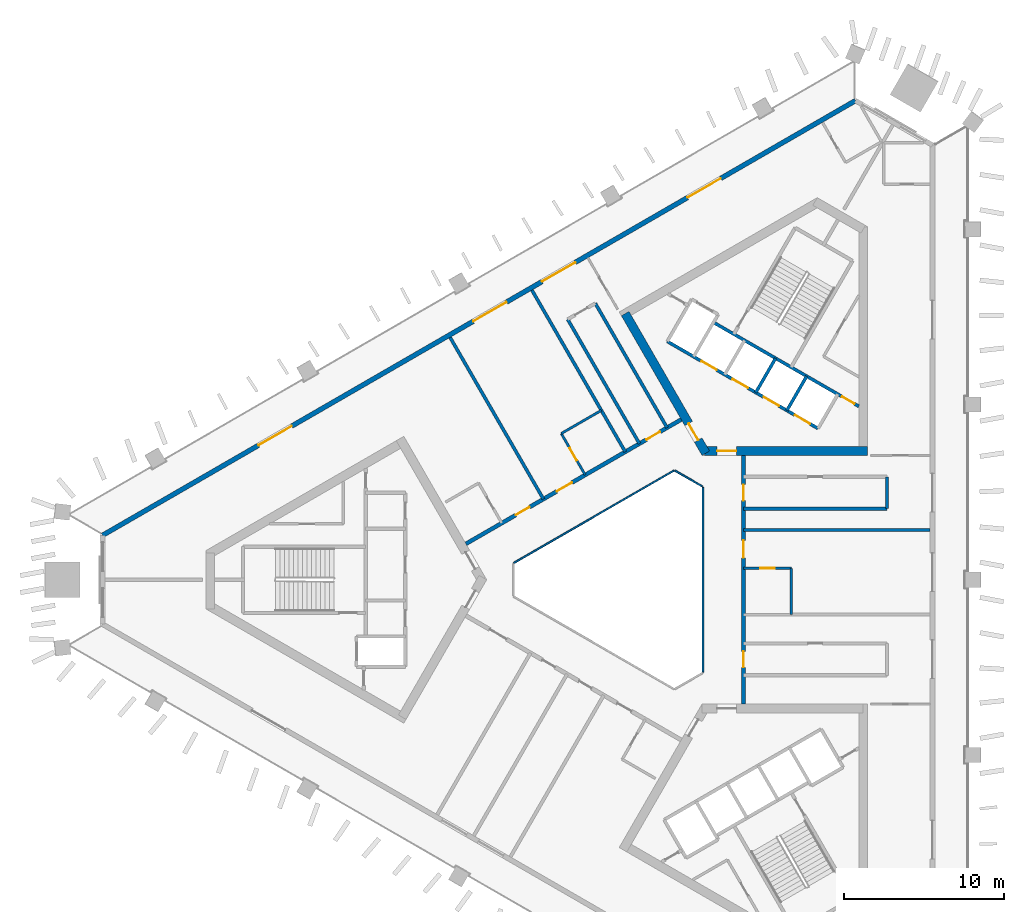
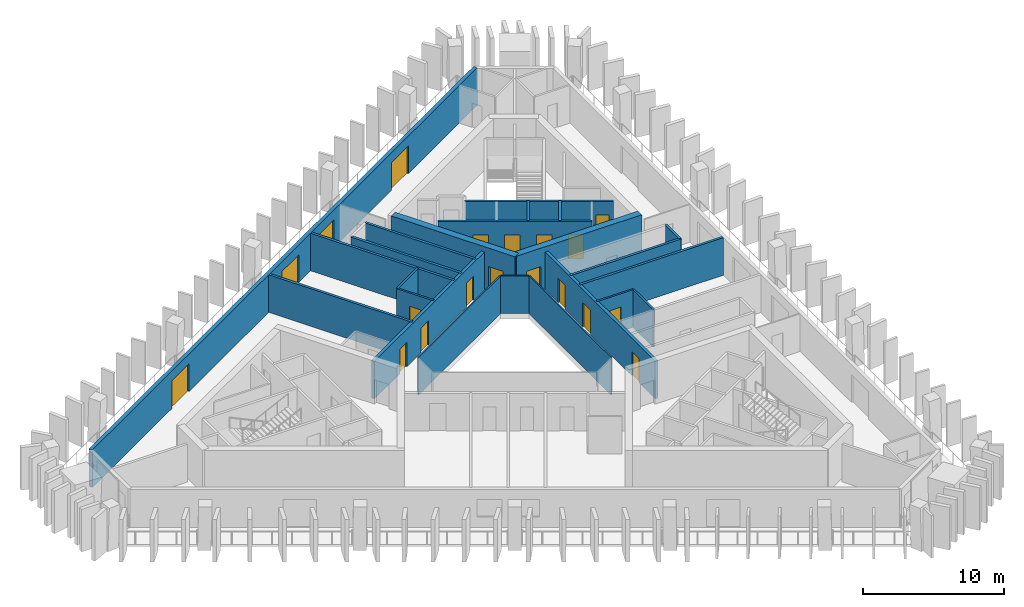
# One storey, part 4 of 10: 23 walls, 19 doors, 19 openings.
"""IFC4 building model written with IfcOpenShell, lengths in metres."""

from ifc_helpers import new_model, si_unit, direction, frame, frame_2d, origin, place, context, subcontext, project, spatial, rectangle, extrude, material, layer, layer_set, type_object, element, fill, save


model = new_model("IFC4")

# Units and contexts
model_context = context("Model", 3, precision=1e-05, world=origin(), true_north=direction((0.0, 1.0)))
body_context = subcontext(model_context, "Body", "Model", "MODEL_VIEW")
ifc_project = project(units=[si_unit("LENGTHUNIT", "METRE"), si_unit("AREAUNIT", "SQUARE_METRE"), si_unit("VOLUMEUNIT", "CUBIC_METRE"), si_unit("PLANEANGLEUNIT", "RADIAN"), si_unit("MASSUNIT", "GRAM", prefix="KILO")], contexts=[model_context])

# Site, building, storey
site_placement = place(None, origin())
site = spatial("IfcSite", under=ifc_project, at=site_placement, CompositionType="ELEMENT")
building_placement = place(site_placement, origin())
building = spatial("IfcBuilding", under=site, at=building_placement, Name="Jabali Bay Hotel Tower and Convention Centre", CompositionType="ELEMENT")
storey_placement = place(building_placement, frame((0.0, 0.0, 156.300048828125)))
storey = spatial("IfcBuildingStorey", under=building, at=storey_placement, Name="L37", CompositionType="ELEMENT", Elevation=156.300048828125)

# Walls
ifc_material_1 = material(Name="Fire-resistant glazing", Category="glass")
ifc_layer_1 = layer(ifc_material_1, 0.10009765625)
ifc_layer_set_1 = layer_set([ifc_layer_1], Name="Fire-resistant glazing")
wall_type_1 = type_object("IfcWallType", Name="Atrium glazed screen 100", PredefinedType="PARTITIONING", material=ifc_layer_set_1)
wall_1_placement = place(storey_placement, frame((79.56005859375, 74.205810546875, 0.0), z_axis=(0.0, 0.0, 1.0), x_axis=(0.0, 1.0, 0.0)))
element("IfcWall", 1, at=wall_1_placement, inside=storey, type_object=wall_type_1, Name="Atrium screen 1 L37", PredefinedType="PARTITIONING", context=body_context, shape_type="SweptSolid", body=[
    extrude(rectangle(XDim=11.58837890625, YDim=0.10009765625, at=frame_2d((5.794189453125, 0.0))), origin(), (0.0, 0.0, 1.0), 3.25),
])
wall_2_placement = place(storey_placement, frame((79.530029296875, 85.84619140625, 0.0), z_axis=(0.0, 0.0, 1.0), x_axis=(-0.866041268327, 0.499972520799, 0.0)))
element("IfcWall", 2, at=wall_2_placement, inside=storey, type_object=wall_type_1, Name="Atrium screen 2 L37", PredefinedType="PARTITIONING", context=body_context, shape_type="SweptSolid", body=[
    extrude(rectangle(XDim=2.0, YDim=0.10009765625, at=frame_2d((1.0, 0.0))), origin(), (0.0, 0.0, 1.0), 3.25),
])
wall_3_placement = place(storey_placement, frame((77.738037109375, 86.84619140625, 0.0), z_axis=(0.0, 0.0, 1.0), x_axis=(-0.866026658274, -0.499997827154, 0.0)))
element("IfcWall", 3, at=wall_3_placement, inside=storey, type_object=wall_type_1, Name="Atrium screen 3 L37", PredefinedType="PARTITIONING", context=body_context, shape_type="SweptSolid", body=[
    extrude(rectangle(XDim=11.58837890625, YDim=0.10009765625, at=frame_2d((5.794189453125, 0.0))), origin(), (0.0, 0.0, 1.0), 3.25),
])
ifc_material_2 = material(Name="Concrete C40", Category="concrete")
ifc_layer_2 = layer(ifc_material_2, 0.199951171875)
ifc_layer_set_2 = layer_set([ifc_layer_2], Name="Concrete C40")
wall_type_2 = type_object("IfcWallType", Name="Core stair wall 200", PredefinedType="SOLIDWALL", material=ifc_layer_set_2)
for number, where, z_axis, x_axis, name in (
    (4, (84.8212890625, 90.61083984375, 0.0), (0.0, 0.0, 1.0), (0.499961042966, 0.86604789447, 0.0), "Core wall 1.2 L37"),
    (5, (82.872802734375, 91.73583984375, 0.0), (0.0, 0.0, 1.0), (0.499961042966, 0.86604789447, 0.0), "Core wall 1.4 L37"),
):
    element("IfcWall", number, at=place(storey_placement, frame(where, z_axis=z_axis, x_axis=x_axis)), inside=storey, type_object=wall_type_2, Name=name, PredefinedType="SOLIDWALL", context=body_context, shape_type="SweptSolid", body=[
        extrude(rectangle(XDim=2.480224609375, YDim=0.199951171875, at=frame_2d((1.240234375, 0.0))), origin(), (0.0, 0.0, 1.0), 3.25),
    ])

# Wall, openings, doors
wall_4_placement = place(storey_placement, frame((86.769775390625, 89.48583984375, 0.0), z_axis=(0.0, 0.0, 1.0), x_axis=(-0.86601811187, 0.500012629753, 0.0)))
wall_4 = element("IfcWall", 6, at=wall_4_placement, inside=storey, type_object=wall_type_2, Name="Core wall 1.10 L37", PredefinedType="SOLIDWALL", context=body_context, shape_type="SweptSolid", body=[
    extrude(rectangle(XDim=10.900146484375, YDim=0.199951171875, at=frame_2d((5.4501953125, 0.0))), origin(), (0.0, 0.0, 1.0), 3.25),
])
opening_1_placement = place(wall_4_placement, frame((0.574951171875, 0.0, 0.0)))
opening_1 = element("IfcOpeningElement", 7, at=opening_1_placement, cuts=wall_4, Name="Opening LD6-L37", PredefinedType="OPENING", context=body_context, shape_type="SweptSolid", body=[
    extrude(rectangle(XDim=1.10009765625, YDim=2.10009765625, at=frame_2d((0.550048828125, 1.050048828125))), frame((0.0, 0.1103515625, 0.0), z_axis=(0.0, -1.0, 0.0), x_axis=(1.0, 0.0, 0.0)), (0.0, 0.0, 1.0), 0.220947265625),
])
opening_2_placement = place(wall_4_placement, frame((2.824951171875, 0.0, 0.0)))
opening_2 = element("IfcOpeningElement", 8, at=opening_2_placement, cuts=wall_4, Name="Opening LD7-L37", PredefinedType="OPENING", context=body_context, shape_type="SweptSolid", body=[
    extrude(rectangle(XDim=1.10009765625, YDim=2.10009765625, at=frame_2d((0.550048828125, 1.050048828125))), frame((0.0, 0.1103515625, 0.0), z_axis=(0.0, -1.0, 0.0), x_axis=(1.0, 0.0, 0.0)), (0.0, 0.0, 1.0), 0.220947265625),
])
opening_3_placement = place(wall_4_placement, frame((5.074951171875, 0.0, 0.0)))
opening_3 = element("IfcOpeningElement", 9, at=opening_3_placement, cuts=wall_4, Name="Opening LD8-L37", PredefinedType="OPENING", context=body_context, shape_type="SweptSolid", body=[
    extrude(rectangle(XDim=1.10009765625, YDim=2.10009765625, at=frame_2d((0.550048828125, 1.050048828125))), frame((0.0, 0.1103515625, 0.0), z_axis=(0.0, -1.0, 0.0), x_axis=(1.0, 0.0, 0.0)), (0.0, 0.0, 1.0), 0.220947265625),
])
opening_4_placement = place(wall_4_placement, frame((7.324951171875, 0.0, 0.0)))
opening_4 = element("IfcOpeningElement", 10, at=opening_4_placement, cuts=wall_4, Name="Opening LD9-L37", PredefinedType="OPENING", context=body_context, shape_type="SweptSolid", body=[
    extrude(rectangle(XDim=1.10009765625, YDim=2.10009765625, at=frame_2d((0.550048828125, 1.050048828125))), frame((0.0, 0.1103515625, 0.0), z_axis=(0.0, -1.0, 0.0), x_axis=(1.0, 0.0, 0.0)), (0.0, 0.0, 1.0), 0.220947265625),
])
ifc_material_3 = material(Name="Stainless steel landing door", Category="steel")
door_type_1 = type_object("IfcDoorType", Name="Landing door 1100 x 2100", OperationType="NOTDEFINED", PredefinedType="NOTDEFINED", material=ifc_material_3)
door_1_placement = place(opening_1_placement, origin())
door_1 = element("IfcDoor", 11, at=door_1_placement, inside=storey, type_object=door_type_1, Name="Landing doors LD6-L37", OperationType="SLIDING_TO_RIGHT", OverallHeight=2.10009765625, OverallWidth=1.10009765625, PredefinedType="NOTDEFINED", context=body_context, shape_type="SweptSolid", body=[
    extrude(rectangle(XDim=1.10009765625, YDim=2.10009765625, at=frame_2d((0.550048828125, 1.050048828125))), frame((0.0, 0.02490234375, 0.0), z_axis=(0.0, -1.0, 0.0), x_axis=(1.0, 0.0, 0.0)), (0.0, 0.0, 1.0), 0.050048828125),
])
fill(opening_1, door_1)
door_2_placement = place(opening_2_placement, origin())
door_2 = element("IfcDoor", 12, at=door_2_placement, inside=storey, type_object=door_type_1, Name="Landing doors LD7-L37", OperationType="SLIDING_TO_LEFT", OverallHeight=2.10009765625, OverallWidth=1.10009765625, PredefinedType="NOTDEFINED", context=body_context, shape_type="SweptSolid", body=[
    extrude(rectangle(XDim=1.10009765625, YDim=2.10009765625, at=frame_2d((0.550048828125, 1.050048828125))), frame((0.0, 0.02490234375, 0.0), z_axis=(0.0, -1.0, 0.0), x_axis=(1.0, 0.0, 0.0)), (0.0, 0.0, 1.0), 0.050048828125),
])
fill(opening_2, door_2)
door_3_placement = place(opening_3_placement, origin())
door_3 = element("IfcDoor", 13, at=door_3_placement, inside=storey, type_object=door_type_1, Name="Landing doors LD8-L37", OperationType="SLIDING_TO_RIGHT", OverallHeight=2.10009765625, OverallWidth=1.10009765625, PredefinedType="NOTDEFINED", context=body_context, shape_type="SweptSolid", body=[
    extrude(rectangle(XDim=1.10009765625, YDim=2.10009765625, at=frame_2d((0.550048828125, 1.050048828125))), frame((0.0, 0.02490234375, 0.0), z_axis=(0.0, -1.0, 0.0), x_axis=(1.0, 0.0, 0.0)), (0.0, 0.0, 1.0), 0.050048828125),
])
fill(opening_3, door_3)
door_4_placement = place(opening_4_placement, origin())
door_4 = element("IfcDoor", 14, at=door_4_placement, inside=storey, type_object=door_type_1, Name="Landing doors LD9-L37", OperationType="SLIDING_TO_LEFT", OverallHeight=2.10009765625, OverallWidth=1.10009765625, PredefinedType="NOTDEFINED", context=body_context, shape_type="SweptSolid", body=[
    extrude(rectangle(XDim=1.10009765625, YDim=2.10009765625, at=frame_2d((0.550048828125, 1.050048828125))), frame((0.0, 0.02490234375, 0.0), z_axis=(0.0, -1.0, 0.0), x_axis=(1.0, 0.0, 0.0)), (0.0, 0.0, 1.0), 0.050048828125),
])
fill(opening_4, door_4)

# Wall, opening, door
wall_5_placement = place(storey_placement, frame((89.330078125, 90.87158203125, 0.0), z_axis=(0.0, 0.0, 1.0), x_axis=(-0.866027589512, 0.49999621419, 0.0)))
wall_5 = element("IfcWall", 15, at=wall_5_placement, inside=storey, type_object=wall_type_2, Name="Core wall 1.11 L37", PredefinedType="SOLIDWALL", context=body_context, shape_type="SweptSolid", body=[
    extrude(rectangle(XDim=10.5244140625, YDim=0.199951171875, at=frame_2d((5.26220703125, 0.0))), origin(), (0.0, 0.0, 1.0), 3.25),
])
opening_5_placement = place(wall_5_placement, frame((0.312255859375, 0.0, 0.0)))
opening_5 = element("IfcOpeningElement", 16, at=opening_5_placement, cuts=wall_5, Name="Opening D815", PredefinedType="OPENING", context=body_context, shape_type="SweptSolid", body=[
    extrude(rectangle(XDim=0.89990234375, YDim=2.10009765625, at=frame_2d((0.449951171875, 1.050048828125))), frame((0.0, 0.1103515625, 0.0), z_axis=(0.0, -1.0, 0.0), x_axis=(1.0, 0.0, 0.0)), (0.0, 0.0, 1.0), 0.220947265625),
])
ifc_material_4 = material(Name="Fire-rated steel door", Category="steel")
door_type_2 = type_object("IfcDoorType", Name="Vestibule fire door 900 x 2100", OperationType="NOTDEFINED", PredefinedType="NOTDEFINED", material=ifc_material_4)
door_5_placement = place(opening_5_placement, origin())
door_5 = element("IfcDoor", 17, at=door_5_placement, inside=storey, type_object=door_type_2, Name="Vestibule fire door D815", OperationType="SINGLE_SWING_LEFT", OverallHeight=2.10009765625, OverallWidth=0.89990234375, PredefinedType="NOTDEFINED", context=body_context, shape_type="SweptSolid", body=[
    extrude(rectangle(XDim=0.89990234375, YDim=2.10009765625, at=frame_2d((0.449951171875, 1.050048828125))), frame((0.0, 0.02490234375, 0.0), z_axis=(0.0, -1.0, 0.0), x_axis=(1.0, 0.0, 0.0)), (0.0, 0.0, 1.0), 0.050048828125),
])
fill(opening_5, door_5)

ifc_material_5 = material(Name="Concrete C60", Category="concrete")
ifc_layer_3 = layer(ifc_material_5, 0.550048828125)
ifc_layer_set_3 = layer_set([ifc_layer_3], Name="Concrete C60")
wall_type_3 = type_object("IfcWallType", Name="Core wall 550", PredefinedType="SHEAR", material=ifc_layer_set_3)
wall_6_placement = place(storey_placement, frame((79.65869140625, 88.0693359375, 0.0), z_axis=(0.0, 0.0, 1.0), x_axis=(1.0, 0.0, 0.0)))
wall_6 = element("IfcWall", 18, at=wall_6_placement, inside=storey, type_object=wall_type_3, Name="Core wall 2.1 L37", PredefinedType="SHEAR", context=body_context, shape_type="SweptSolid", body=[
    extrude(rectangle(XDim=10.22119140625, YDim=0.550048828125, at=frame_2d((5.110595703125, 0.0))), origin(), (0.0, 0.0, 1.0), 3.699951171875),
])
opening_6_placement = place(wall_6_placement, frame((0.791259765625, 0.0, 0.0)))
opening_6 = element("IfcOpeningElement", 19, at=opening_6_placement, cuts=wall_6, Name="Opening D812", PredefinedType="OPENING", context=body_context, shape_type="SweptSolid", body=[
    extrude(rectangle(XDim=1.199951171875, YDim=2.10009765625, at=frame_2d((0.60009765625, 1.050048828125))), frame((0.0, 0.28564453125, 0.0), z_axis=(0.0, -1.0, 0.0), x_axis=(1.0, 0.0, 0.0)), (0.0, 0.0, 1.0), 0.571044921875),
])
door_type_3 = type_object("IfcDoorType", Name="Corridor end fire door 1200 x 2100", OperationType="NOTDEFINED", PredefinedType="NOTDEFINED", material=ifc_material_4)
door_6_placement = place(opening_6_placement, origin())
door_6 = element("IfcDoor", 20, at=door_6_placement, inside=storey, type_object=door_type_3, Name="Corridor end fire door D812", OperationType="SINGLE_SWING_RIGHT", OverallHeight=2.10009765625, OverallWidth=1.199951171875, PredefinedType="NOTDEFINED", context=body_context, shape_type="SweptSolid", body=[
    extrude(rectangle(XDim=1.199951171875, YDim=2.10009765625, at=frame_2d((0.60009765625, 1.050048828125))), frame((0.0, 0.02490234375, 0.0), z_axis=(0.0, -1.0, 0.0), x_axis=(1.0, 0.0, 0.0)), (0.0, 0.0, 1.0), 0.050048828125),
])
fill(opening_6, door_6)

wall_7_placement = place(storey_placement, frame((74.685546875, 96.682861328125, 0.0), z_axis=(0.0, 0.0, 1.0), x_axis=(0.499997818338, -0.866026663364, 0.0)))
wall_7 = element("IfcWall", 21, at=wall_7_placement, inside=storey, type_object=wall_type_3, Name="Core wall 2.5 L37", PredefinedType="SHEAR", context=body_context, shape_type="SweptSolid", body=[
    extrude(rectangle(XDim=10.10498046875, YDim=0.550048828125, at=frame_2d((5.052490234375, 0.0))), origin(), (0.0, 0.0, 1.0), 3.699951171875),
])
opening_7_placement = place(wall_7_placement, frame((7.955078125, 0.0, 0.0)))
opening_7 = element("IfcOpeningElement", 22, at=opening_7_placement, cuts=wall_7, Name="Opening D813", PredefinedType="OPENING", context=body_context, shape_type="SweptSolid", body=[
    extrude(rectangle(XDim=1.199951171875, YDim=2.10009765625, at=frame_2d((0.60009765625, 1.050048828125))), frame((0.0, 0.28564453125, 0.0), z_axis=(0.0, -1.0, 0.0), x_axis=(1.0, 0.0, 0.0)), (0.0, 0.0, 1.0), 0.571044921875),
])
door_7_placement = place(opening_7_placement, origin())
door_7 = element("IfcDoor", 23, at=door_7_placement, inside=storey, type_object=door_type_3, Name="Corridor end fire door D813", OperationType="SINGLE_SWING_LEFT", OverallHeight=2.10009765625, OverallWidth=1.199951171875, PredefinedType="NOTDEFINED", context=body_context, shape_type="SweptSolid", body=[
    extrude(rectangle(XDim=1.199951171875, YDim=2.10009765625, at=frame_2d((0.60009765625, 1.050048828125))), frame((0.0, 0.02490234375, 0.0), z_axis=(0.0, -1.0, 0.0), x_axis=(1.0, 0.0, 0.0)), (0.0, 0.0, 1.0), 0.050048828125),
])
fill(opening_7, door_7)

# Wall, openings, doors
ifc_layer_4 = layer(ifc_material_5, 0.25)
ifc_layer_set_4 = layer_set([ifc_layer_4], Name="Concrete C60")
wall_type_4 = type_object("IfcWallType", Name="Corridor wall 250", PredefinedType="SHEAR", material=ifc_layer_set_4)
wall_8_placement = place(storey_placement, frame((82.10009765625, 72.205810546875, 0.0), z_axis=(0.0, 0.0, 1.0), x_axis=(0.0, 1.0, 0.0)))
wall_8 = element("IfcWall", 24, at=wall_8_placement, inside=storey, type_object=wall_type_4, Name="Corridor wall 1 L37", PredefinedType="SHEAR", context=body_context, shape_type="SweptSolid", body=[
    extrude(rectangle(XDim=15.58837890625, YDim=0.25, at=frame_2d((7.794189453125, 0.0))), origin(), (0.0, 0.0, 1.0), 3.25),
])
opening_8_placement = place(wall_8_placement, frame((2.305908203125, 0.0, 0.0)))
opening_8 = element("IfcOpeningElement", 25, at=opening_8_placement, cuts=wall_8, Name="Opening 3701", PredefinedType="OPENING", context=body_context, shape_type="SweptSolid", body=[
    extrude(rectangle(XDim=1.0, YDim=2.10009765625, at=frame_2d((0.5, 1.050048828125))), frame((0.0, 0.135498046875, 0.0), z_axis=(0.0, -1.0, 0.0), x_axis=(1.0, 0.0, 0.0)), (0.0, 0.0, 1.0), 0.27099609375),
])
opening_9_placement = place(wall_8_placement, frame((9.161865234375, 0.0, 0.0)))
opening_9 = element("IfcOpeningElement", 26, at=opening_9_placement, cuts=wall_8, Name="Opening 3706", PredefinedType="OPENING", context=body_context, shape_type="SweptSolid", body=[
    extrude(rectangle(XDim=1.10009765625, YDim=2.10009765625, at=frame_2d((0.550048828125, 1.050048828125))), frame((0.0, 0.135498046875, 0.0), z_axis=(0.0, -1.0, 0.0), x_axis=(1.0, 0.0, 0.0)), (0.0, 0.0, 1.0), 0.27099609375),
])
opening_10_placement = place(wall_8_placement, frame((12.750244140625, 0.0, 0.0)))
opening_10 = element("IfcOpeningElement", 27, at=opening_10_placement, cuts=wall_8, Name="Opening 3707", PredefinedType="OPENING", context=body_context, shape_type="SweptSolid", body=[
    extrude(rectangle(XDim=1.0, YDim=2.10009765625, at=frame_2d((0.5, 1.050048828125))), frame((0.0, 0.135498046875, 0.0), z_axis=(0.0, -1.0, 0.0), x_axis=(1.0, 0.0, 0.0)), (0.0, 0.0, 1.0), 0.27099609375),
])
ifc_material_6 = material(Name="Timber", Category="wood")
door_type_4 = type_object("IfcDoorType", Name="Accessible guest room door 1100 x 2100", OperationType="NOTDEFINED", PredefinedType="NOTDEFINED", material=ifc_material_6)
door_8_placement = place(opening_9_placement, origin())
door_8 = element("IfcDoor", 28, at=door_8_placement, inside=storey, type_object=door_type_4, Name="Door 3706", OperationType="SINGLE_SWING_RIGHT", OverallHeight=2.10009765625, OverallWidth=1.10009765625, PredefinedType="NOTDEFINED", context=body_context, shape_type="SweptSolid", body=[
    extrude(rectangle(XDim=1.10009765625, YDim=2.10009765625, at=frame_2d((0.550048828125, 1.050048828125))), frame((0.0, 0.02490234375, 0.0), z_axis=(0.0, -1.0, 0.0), x_axis=(1.0, 0.0, 0.0)), (0.0, 0.0, 1.0), 0.050048828125),
])
fill(opening_9, door_8)
door_type_5 = type_object("IfcDoorType", Name="Guest room door 1000 x 2100", OperationType="NOTDEFINED", PredefinedType="NOTDEFINED", material=ifc_material_6)
door_9_placement = place(opening_8_placement, origin())
door_9 = element("IfcDoor", 29, at=door_9_placement, inside=storey, type_object=door_type_5, Name="Door 3701", OperationType="SINGLE_SWING_LEFT", OverallHeight=2.10009765625, OverallWidth=1.0, PredefinedType="NOTDEFINED", context=body_context, shape_type="SweptSolid", body=[
    extrude(rectangle(XDim=1.0, YDim=2.10009765625, at=frame_2d((0.5, 1.050048828125))), frame((0.0, 0.02490234375, 0.0), z_axis=(0.0, -1.0, 0.0), x_axis=(1.0, 0.0, 0.0)), (0.0, 0.0, 1.0), 0.050048828125),
])
fill(opening_8, door_9)
door_10_placement = place(opening_10_placement, origin())
door_10 = element("IfcDoor", 30, at=door_10_placement, inside=storey, type_object=door_type_5, Name="Door 3707", OperationType="SINGLE_SWING_RIGHT", OverallHeight=2.10009765625, OverallWidth=1.0, PredefinedType="NOTDEFINED", context=body_context, shape_type="SweptSolid", body=[
    extrude(rectangle(XDim=1.0, YDim=2.10009765625, at=frame_2d((0.5, 1.050048828125))), frame((0.0, 0.02490234375, 0.0), z_axis=(0.0, -1.0, 0.0), x_axis=(1.0, 0.0, 0.0)), (0.0, 0.0, 1.0), 0.050048828125),
])
fill(opening_10, door_10)

wall_9_placement = place(storey_placement, frame((78.199951171875, 90.0458984375, 0.0), z_axis=(0.0, 0.0, 1.0), x_axis=(-0.866026492143, -0.499998114903, 0.0)))
wall_9 = element("IfcWall", 31, at=wall_9_placement, inside=storey, type_object=wall_type_4, Name="Corridor wall 2 L37", PredefinedType="SHEAR", context=body_context, shape_type="SweptSolid", body=[
    extrude(rectangle(XDim=15.58837890625, YDim=0.25, at=frame_2d((7.794189453125, 0.0))), origin(), (0.0, 0.0, 1.0), 3.25),
])
opening_11_placement = place(wall_9_placement, frame((1.526611328125, 0.0, 0.0)))
opening_11 = element("IfcOpeningElement", 32, at=opening_11_placement, cuts=wall_9, Name="Opening 3711", PredefinedType="OPENING", context=body_context, shape_type="SweptSolid", body=[
    extrude(rectangle(XDim=1.0, YDim=2.10009765625, at=frame_2d((0.5, 1.050048828125))), frame((0.0, 0.135498046875, 0.0), z_axis=(0.0, -1.0, 0.0), x_axis=(1.0, 0.0, 0.0)), (0.0, 0.0, 1.0), 0.27099609375),
])
opening_12_placement = place(wall_9_placement, frame((7.914794921875, 0.0, 0.0)))
opening_12 = element("IfcOpeningElement", 33, at=opening_12_placement, cuts=wall_9, Name="Opening 3716", PredefinedType="OPENING", context=body_context, shape_type="SweptSolid", body=[
    extrude(rectangle(XDim=1.10009765625, YDim=2.10009765625, at=frame_2d((0.550048828125, 1.050048828125))), frame((0.0, 0.135498046875, 0.0), z_axis=(0.0, -1.0, 0.0), x_axis=(1.0, 0.0, 0.0)), (0.0, 0.0, 1.0), 0.27099609375),
])
opening_13_placement = place(wall_9_placement, frame((10.982421875, 0.0, 0.0)))
opening_13 = element("IfcOpeningElement", 34, at=opening_13_placement, cuts=wall_9, Name="Opening 3718", PredefinedType="OPENING", context=body_context, shape_type="SweptSolid", body=[
    extrude(rectangle(XDim=1.0, YDim=2.10009765625, at=frame_2d((0.5, 1.050048828125))), frame((0.0, 0.135498046875, 0.0), z_axis=(0.0, -1.0, 0.0), x_axis=(1.0, 0.0, 0.0)), (0.0, 0.0, 1.0), 0.27099609375),
])
door_11_placement = place(opening_12_placement, origin())
door_11 = element("IfcDoor", 35, at=door_11_placement, inside=storey, type_object=door_type_4, Name="Door 3716", OperationType="SINGLE_SWING_RIGHT", OverallHeight=2.10009765625, OverallWidth=1.10009765625, PredefinedType="NOTDEFINED", context=body_context, shape_type="SweptSolid", body=[
    extrude(rectangle(XDim=1.10009765625, YDim=2.10009765625, at=frame_2d((0.550048828125, 1.050048828125))), frame((0.0, 0.02490234375, 0.0), z_axis=(0.0, -1.0, 0.0), x_axis=(1.0, 0.0, 0.0)), (0.0, 0.0, 1.0), 0.050048828125),
])
fill(opening_12, door_11)
door_12_placement = place(opening_11_placement, origin())
door_12 = element("IfcDoor", 36, at=door_12_placement, inside=storey, type_object=door_type_5, Name="Door 3711", OperationType="SINGLE_SWING_LEFT", OverallHeight=2.10009765625, OverallWidth=1.0, PredefinedType="NOTDEFINED", context=body_context, shape_type="SweptSolid", body=[
    extrude(rectangle(XDim=1.0, YDim=2.10009765625, at=frame_2d((0.5, 1.050048828125))), frame((0.0, 0.02490234375, 0.0), z_axis=(0.0, -1.0, 0.0), x_axis=(1.0, 0.0, 0.0)), (0.0, 0.0, 1.0), 0.050048828125),
])
fill(opening_11, door_12)
door_13_placement = place(opening_13_placement, origin())
door_13 = element("IfcDoor", 37, at=door_13_placement, inside=storey, type_object=door_type_5, Name="Door 3718", OperationType="SINGLE_SWING_RIGHT", OverallHeight=2.10009765625, OverallWidth=1.0, PredefinedType="NOTDEFINED", context=body_context, shape_type="SweptSolid", body=[
    extrude(rectangle(XDim=1.0, YDim=2.10009765625, at=frame_2d((0.5, 1.050048828125))), frame((0.0, 0.02490234375, 0.0), z_axis=(0.0, -1.0, 0.0), x_axis=(1.0, 0.0, 0.0)), (0.0, 0.0, 1.0), 0.050048828125),
])
fill(opening_13, door_13)

ifc_layer_5 = layer(ifc_material_2, 0.300048828125)
ifc_layer_set_5 = layer_set([ifc_layer_5], Name="Concrete C40")
wall_type_5 = type_object("IfcWallType", Name="External wall 300", PredefinedType="SOLIDWALL", material=ifc_layer_set_5)
wall_10_placement = place(storey_placement, frame((41.92822265625, 82.787841796875, 0.0), z_axis=(0.0, 0.0, 1.0), x_axis=(0.866025629663, 0.499999608766, 0.0)))
wall_10 = element("IfcWall", 38, at=wall_10_placement, inside=storey, type_object=wall_type_5, Name="External wall north-west face L37", PredefinedType="SOLIDWALL", context=body_context, shape_type="SweptSolid", body=[
    extrude(rectangle(XDim=54.494140625, YDim=0.300048828125, at=frame_2d((27.2470703125, 0.0))), origin(), (0.0, 0.0, 1.0), 3.25),
])
opening_14_placement = place(wall_10_placement, frame((26.826416015625, 0.0, 0.0)))
opening_14 = element("IfcOpeningElement", 39, at=opening_14_placement, cuts=wall_10, Name="Opening SD1", PredefinedType="OPENING", context=body_context, shape_type="SweptSolid", body=[
    extrude(rectangle(XDim=2.39990234375, YDim=2.39990234375, at=frame_2d((1.199951171875, 1.199951171875))), frame((0.0, 0.16064453125, 0.0), z_axis=(0.0, -1.0, 0.0), x_axis=(1.0, 0.0, 0.0)), (0.0, 0.0, 1.0), 0.321044921875),
])
opening_15_placement = place(wall_10_placement, frame((31.814697265625, 0.0, 0.0)))
opening_15 = element("IfcOpeningElement", 40, at=opening_15_placement, cuts=wall_10, Name="Opening SD1", PredefinedType="OPENING", context=body_context, shape_type="SweptSolid", body=[
    extrude(rectangle(XDim=2.39990234375, YDim=2.39990234375, at=frame_2d((1.199951171875, 1.199951171875))), frame((0.0, 0.16064453125, 0.0), z_axis=(0.0, -1.0, 0.0), x_axis=(1.0, 0.0, 0.0)), (0.0, 0.0, 1.0), 0.321044921875),
])
opening_16_placement = place(wall_10_placement, frame((42.338623046875, 0.0, 0.0)))
opening_16 = element("IfcOpeningElement", 41, at=opening_16_placement, cuts=wall_10, Name="Opening SD1", PredefinedType="OPENING", context=body_context, shape_type="SweptSolid", body=[
    extrude(rectangle(XDim=2.39990234375, YDim=2.39990234375, at=frame_2d((1.199951171875, 1.199951171875))), frame((0.0, 0.16064453125, 0.0), z_axis=(0.0, -1.0, 0.0), x_axis=(1.0, 0.0, 0.0)), (0.0, 0.0, 1.0), 0.321044921875),
])
opening_17_placement = place(wall_10_placement, frame((11.2890625, 0.0, 0.0)))
opening_17 = element("IfcOpeningElement", 42, at=opening_17_placement, cuts=wall_10, Name="Opening SD1", PredefinedType="OPENING", context=body_context, shape_type="SweptSolid", body=[
    extrude(rectangle(XDim=2.39990234375, YDim=2.39990234375, at=frame_2d((1.199951171875, 1.199951171875))), frame((0.0, 0.16064453125, 0.0), z_axis=(0.0, -1.0, 0.0), x_axis=(1.0, 0.0, 0.0)), (0.0, 0.0, 1.0), 0.321044921875),
])
ifc_material_7 = material(Name="Glass", Category="glass")
door_type_6 = type_object("IfcDoorType", Name="Loggia sliding door 2400 x 2400", OperationType="NOTDEFINED", PredefinedType="NOTDEFINED", material=ifc_material_7)
door_14_placement = place(opening_14_placement, origin())
door_14 = element("IfcDoor", 43, at=door_14_placement, inside=storey, type_object=door_type_6, Name="Loggia sliding door 3708", OperationType="SLIDING_TO_LEFT", OverallHeight=2.39990234375, OverallWidth=2.39990234375, PredefinedType="NOTDEFINED", context=body_context, shape_type="SweptSolid", body=[
    extrude(rectangle(XDim=2.39990234375, YDim=2.39990234375, at=frame_2d((1.199951171875, 1.199951171875))), frame((0.0, 0.02490234375, 0.0), z_axis=(0.0, -1.0, 0.0), x_axis=(1.0, 0.0, 0.0)), (0.0, 0.0, 1.0), 0.050048828125),
])
fill(opening_14, door_14)
door_15_placement = place(opening_15_placement, origin())
door_15 = element("IfcDoor", 44, at=door_15_placement, inside=storey, type_object=door_type_6, Name="Loggia sliding door 3706", OperationType="SLIDING_TO_RIGHT", OverallHeight=2.39990234375, OverallWidth=2.39990234375, PredefinedType="NOTDEFINED", context=body_context, shape_type="SweptSolid", body=[
    extrude(rectangle(XDim=2.39990234375, YDim=2.39990234375, at=frame_2d((1.199951171875, 1.199951171875))), frame((0.0, 0.02490234375, 0.0), z_axis=(0.0, -1.0, 0.0), x_axis=(1.0, 0.0, 0.0)), (0.0, 0.0, 1.0), 0.050048828125),
])
fill(opening_15, door_15)
door_16_placement = place(opening_16_placement, origin())
door_16 = element("IfcDoor", 45, at=door_16_placement, inside=storey, type_object=door_type_6, Name="Loggia sliding door 3706", OperationType="SLIDING_TO_LEFT", OverallHeight=2.39990234375, OverallWidth=2.39990234375, PredefinedType="NOTDEFINED", context=body_context, shape_type="SweptSolid", body=[
    extrude(rectangle(XDim=2.39990234375, YDim=2.39990234375, at=frame_2d((1.199951171875, 1.199951171875))), frame((0.0, 0.02490234375, 0.0), z_axis=(0.0, -1.0, 0.0), x_axis=(1.0, 0.0, 0.0)), (0.0, 0.0, 1.0), 0.050048828125),
])
fill(opening_16, door_16)
door_17_placement = place(opening_17_placement, origin())
door_17 = element("IfcDoor", 46, at=door_17_placement, inside=storey, type_object=door_type_6, Name="Loggia sliding door 3709", OperationType="SLIDING_TO_RIGHT", OverallHeight=2.39990234375, OverallWidth=2.39990234375, PredefinedType="NOTDEFINED", context=body_context, shape_type="SweptSolid", body=[
    extrude(rectangle(XDim=2.39990234375, YDim=2.39990234375, at=frame_2d((1.199951171875, 1.199951171875))), frame((0.0, 0.02490234375, 0.0), z_axis=(0.0, -1.0, 0.0), x_axis=(1.0, 0.0, 0.0)), (0.0, 0.0, 1.0), 0.050048828125),
])
fill(opening_17, door_17)

# Wall, opening, door
ifc_material_8 = material(Name="Plasterboard on steel stud", Category="steel")
ifc_layer_6 = layer(ifc_material_8, 0.14990234375)
ifc_layer_set_6 = layer_set([ifc_layer_6], Name="Plasterboard on steel stud")
wall_type_6 = type_object("IfcWallType", Name="Partition 150 wet", PredefinedType="PARTITIONING", material=ifc_layer_set_6)
wall_11_placement = place(storey_placement, frame((82.10009765625, 80.717529296875, 0.0), z_axis=(0.0, 0.0, 1.0), x_axis=(1.0, 0.0, 0.0)))
wall_11 = element("IfcWall", 47, at=wall_11_placement, inside=storey, type_object=wall_type_6, Name="Partition P03 L37 011", PredefinedType="PARTITIONING", context=body_context, shape_type="SweptSolid", body=[
    extrude(rectangle(XDim=3.0, YDim=0.14990234375, at=frame_2d((1.5, 0.0))), origin(), (0.0, 0.0, 1.0), 3.25),
])
opening_18_placement = place(wall_11_placement, frame((1.050048828125, 0.0, 0.0)))
opening_18 = element("IfcOpeningElement", 48, at=opening_18_placement, cuts=wall_11, Name="Opening 3705", PredefinedType="OPENING", context=body_context, shape_type="SweptSolid", body=[
    extrude(rectangle(XDim=0.89990234375, YDim=2.10009765625, at=frame_2d((0.449951171875, 1.050048828125))), frame((0.0, 0.08544921875, 0.0), z_axis=(0.0, -1.0, 0.0), x_axis=(1.0, 0.0, 0.0)), (0.0, 0.0, 1.0), 0.1708984375),
])
door_type_7 = type_object("IfcDoorType", Name="Accessible en-suite door 900 x 2100", OperationType="NOTDEFINED", PredefinedType="NOTDEFINED", material=ifc_material_6)
door_18_placement = place(opening_18_placement, origin())
door_18 = element("IfcDoor", 49, at=door_18_placement, inside=storey, type_object=door_type_7, Name="Door 3705", OperationType="SINGLE_SWING_RIGHT", OverallHeight=2.10009765625, OverallWidth=0.89990234375, PredefinedType="NOTDEFINED", context=body_context, shape_type="SweptSolid", body=[
    extrude(rectangle(XDim=0.89990234375, YDim=2.10009765625, at=frame_2d((0.449951171875, 1.050048828125))), frame((0.0, 0.02490234375, 0.0), z_axis=(0.0, -1.0, 0.0), x_axis=(1.0, 0.0, 0.0)), (0.0, 0.0, 1.0), 0.050048828125),
])
fill(opening_18, door_18)

# Wall
wall_12_placement = place(storey_placement, frame((85.10009765625, 80.717529296875, 0.0), z_axis=(0.0, 0.0, 1.0), x_axis=(0.0, -1.0, 0.0)))
element("IfcWall", 50, at=wall_12_placement, inside=storey, type_object=wall_type_6, Name="Partition P03 L37 012", PredefinedType="PARTITIONING", context=body_context, shape_type="SweptSolid", body=[
    extrude(rectangle(XDim=2.89990234375, YDim=0.14990234375, at=frame_2d((1.449951171875, 0.0))), origin(), (0.0, 0.0, 1.0), 3.25),
])

# Wall, opening, door
wall_13_placement = place(storey_placement, frame((72.178466796875, 86.5693359375, 0.0), z_axis=(0.0, 0.0, 1.0), x_axis=(-0.499990139034, 0.866031096941, 0.0)))
wall_13 = element("IfcWall", 51, at=wall_13_placement, inside=storey, type_object=wall_type_6, Name="Partition P03 L37 030", PredefinedType="PARTITIONING", context=body_context, shape_type="SweptSolid", body=[
    extrude(rectangle(XDim=3.0, YDim=0.14990234375, at=frame_2d((1.5, 0.0))), origin(), (0.0, 0.0, 1.0), 3.25),
])
opening_19_placement = place(wall_13_placement, frame((1.050048828125, 0.0, 0.0)))
opening_19 = element("IfcOpeningElement", 52, at=opening_19_placement, cuts=wall_13, Name="Opening 3715", PredefinedType="OPENING", context=body_context, shape_type="SweptSolid", body=[
    extrude(rectangle(XDim=0.89990234375, YDim=2.10009765625, at=frame_2d((0.449951171875, 1.050048828125))), frame((0.0, 0.08544921875, 0.0), z_axis=(0.0, -1.0, 0.0), x_axis=(1.0, 0.0, 0.0)), (0.0, 0.0, 1.0), 0.1708984375),
])
door_19_placement = place(opening_19_placement, origin())
door_19 = element("IfcDoor", 53, at=door_19_placement, inside=storey, type_object=door_type_7, Name="Door 3715", OperationType="SINGLE_SWING_LEFT", OverallHeight=2.10009765625, OverallWidth=0.89990234375, PredefinedType="NOTDEFINED", context=body_context, shape_type="SweptSolid", body=[
    extrude(rectangle(XDim=0.89990234375, YDim=2.10009765625, at=frame_2d((0.449951171875, 1.050048828125))), frame((0.0, 0.02490234375, 0.0), z_axis=(0.0, -1.0, 0.0), x_axis=(1.0, 0.0, 0.0)), (0.0, 0.0, 1.0), 0.050048828125),
])
fill(opening_19, door_19)

# Walls
wall_14_placement = place(storey_placement, frame((70.678466796875, 89.16748046875, 0.0), z_axis=(0.0, 0.0, 1.0), x_axis=(0.866032775405, 0.499987231761, 0.0)))
element("IfcWall", 54, at=wall_14_placement, inside=storey, type_object=wall_type_6, Name="Partition P03 L37 031", PredefinedType="PARTITIONING", context=body_context, shape_type="SweptSolid", body=[
    extrude(rectangle(XDim=2.89990234375, YDim=0.14990234375, at=frame_2d((1.449951171875, 0.0))), origin(), (0.0, 0.0, 1.0), 3.25),
])
ifc_layer_7 = layer(ifc_material_8, 0.199951171875)
ifc_layer_set_7 = layer_set([ifc_layer_7], Name="Plasterboard on steel stud")
wall_type_7 = type_object("IfcWallType", Name="Partition 200 party", PredefinedType="PARTITIONING", material=ifc_layer_set_7)
wall_15_placement = place(storey_placement, frame((93.801025390625, 83.11767578125, 0.0), z_axis=(0.0, 0.0, 1.0), x_axis=(-1.0, 0.0, 0.0)))
element("IfcWall", 55, at=wall_15_placement, inside=storey, type_object=wall_type_7, Name="Partition P01 L37 013", PredefinedType="PARTITIONING", context=body_context, shape_type="SweptSolid", body=[
    extrude(rectangle(XDim=11.700927734375, YDim=0.199951171875, at=frame_2d((5.8505859375, 0.0))), origin(), (0.0, 0.0, 1.0), 3.25),
])
wall_16_placement = place(storey_placement, frame((91.10009765625, 86.4560546875, 0.0), z_axis=(0.0, 0.0, 1.0), x_axis=(0.0, -1.0, 0.0)))
element("IfcWall", 56, at=wall_16_placement, inside=storey, type_object=wall_type_7, Name="Partition P01 L37 016", PredefinedType="PARTITIONING", context=body_context, shape_type="SweptSolid", body=[
    extrude(rectangle(XDim=2.0, YDim=0.199951171875, at=frame_2d((1.0, 0.0))), origin(), (0.0, 0.0, 1.0), 3.25),
])
for number, where, z_axis, x_axis, name in (
    (57, (91.10009765625, 84.4560546875, 0.0), (0.0, 0.0, 1.0), (-1.0, 0.0, 0.0), "Partition P01 L37 017"),
    (58, (75.578857421875, 88.53271484375, 0.0), (0.0, 0.0, 1.0), (-0.5000018851, 0.866024315419, 0.0), "Partition P01 L37 023"),
    (59, (72.81103515625, 97.326904296875, 0.0), (0.0, 0.0, 1.0), (0.5000018851, -0.866024315419, 0.0), "Partition P01 L37 025"),
):
    element("IfcWall", number, at=place(storey_placement, frame(where, z_axis=z_axis, x_axis=x_axis)), inside=storey, type_object=wall_type_7, Name=name, PredefinedType="PARTITIONING", context=body_context, shape_type="SweptSolid", body=[
        extrude(rectangle(XDim=9.0, YDim=0.199951171875, at=frame_2d((4.5, 0.0))), origin(), (0.0, 0.0, 1.0), 3.25),
    ])
for number, where, z_axis, x_axis, name in (
    (60, (68.83935546875, 98.15283203125, 0.0), (0.0, 0.0, 1.0), (0.499998785317, -0.866026105081, 0.0), "Partition P01 L37 026"),
    (61, (63.70947265625, 95.191162109375, 0.0), (0.0, 0.0, 1.0), (0.499998785317, -0.866026105081, 0.0), "Partition P01 L37 032"),
):
    element("IfcWall", number, at=place(storey_placement, frame(where, z_axis=z_axis, x_axis=x_axis)), inside=storey, type_object=wall_type_7, Name=name, PredefinedType="PARTITIONING", context=body_context, shape_type="SweptSolid", body=[
        extrude(rectangle(XDim=11.701171875, YDim=0.199951171875, at=frame_2d((5.8505859375, 0.0))), origin(), (0.0, 0.0, 1.0), 3.25),
    ])

save(model, "model.ifc")
